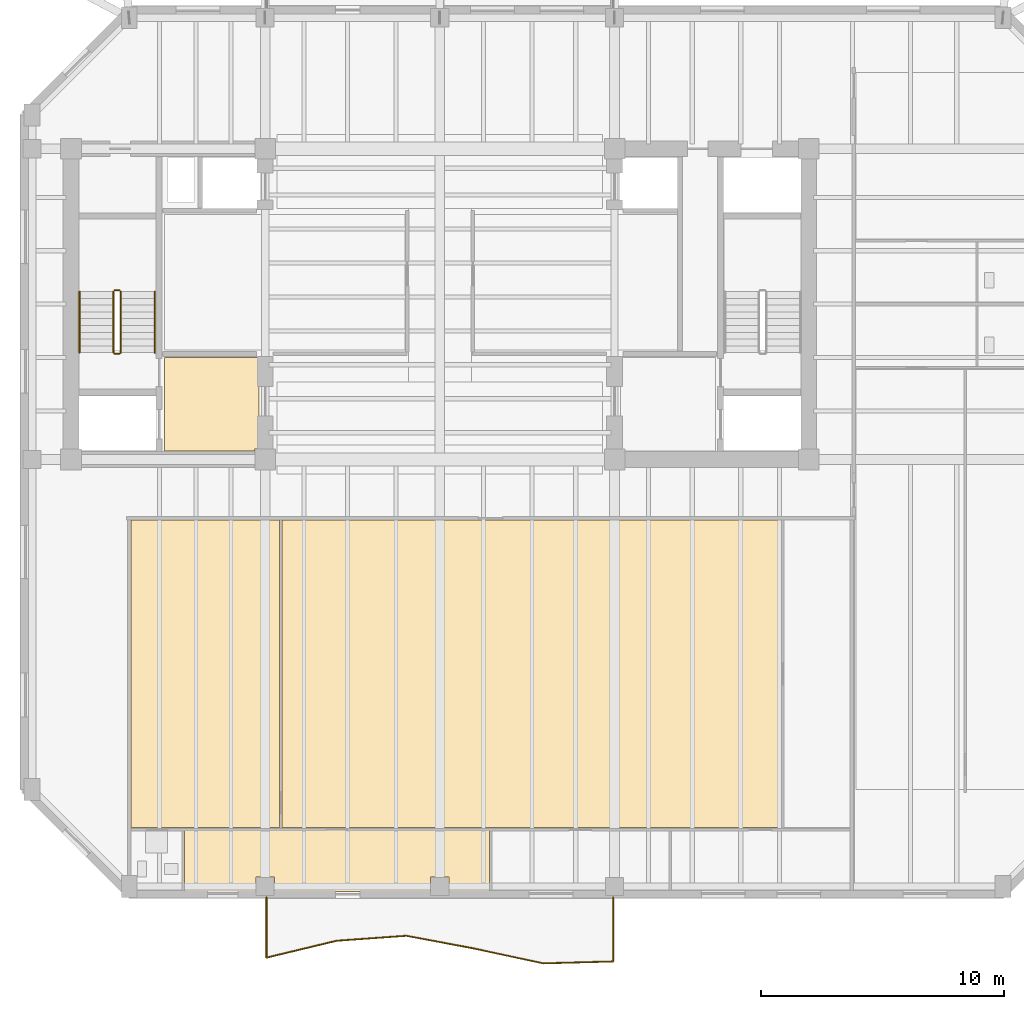
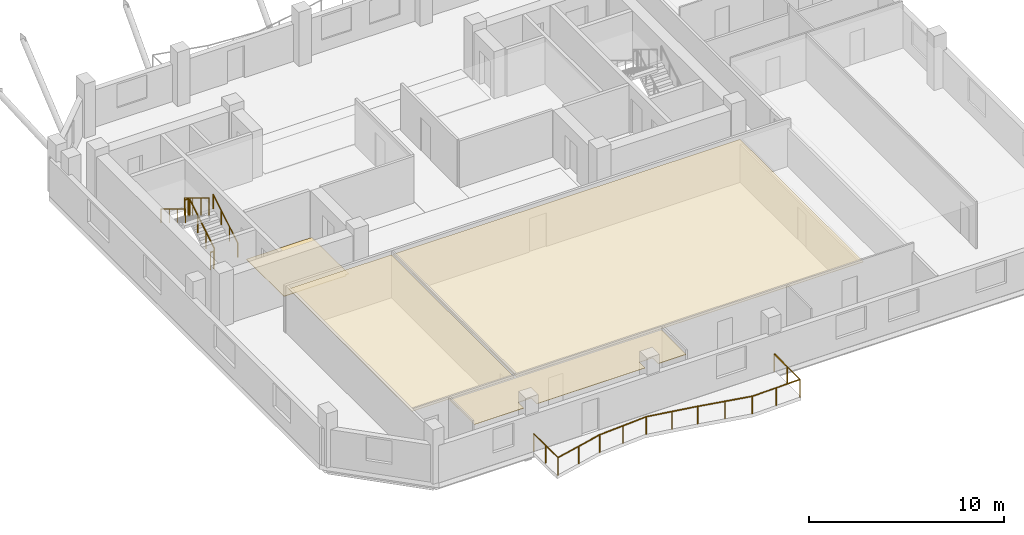
# One storey, part 8 of 11: 7 railings, 4 coverings.
"""IFC4 building model written with IfcOpenShell, lengths in metres."""

from ifc_helpers import new_model, si_unit, direction, frame, origin, origin_2d, place, context, subcontext, project, spatial, polyline, circle, outline, extrude, material, layer, layer_set, type_object, element, save


model = new_model("IFC4")

# Units and contexts
model_context = context("Model", 3, precision=1e-05, world=origin(), true_north=direction((0.0, 1.0)))
body_context = subcontext(model_context, "Body", "Model", "MODEL_VIEW")
ifc_project = project(units=[si_unit("LENGTHUNIT", "METRE"), si_unit("AREAUNIT", "SQUARE_METRE"), si_unit("VOLUMEUNIT", "CUBIC_METRE"), si_unit("PLANEANGLEUNIT", "RADIAN"), si_unit("MASSUNIT", "GRAM", prefix="KILO")], contexts=[model_context])

# Site, building, storey
site_placement = place(None, origin())
site = spatial("IfcSite", under=ifc_project, at=site_placement, CompositionType="ELEMENT")
building_placement = place(site_placement, origin())
building = spatial("IfcBuilding", under=site, at=building_placement, Name="Kranthara Brick Stack", CompositionType="ELEMENT")
storey_placement = place(building_placement, frame((0.0, 0.0, 244.89990234375)))
storey = spatial("IfcBuildingStorey", under=building, at=storey_placement, Name="L64", CompositionType="ELEMENT", Elevation=244.89990234375)

# Coverings
ifc_material_1 = material(Name="Perforated mineral-fibre acoustic ceiling tile", Category="other")
ifc_layer_1 = layer(ifc_material_1, 0.02490234375)
ifc_layer_set_1 = layer_set([ifc_layer_1], Name="Perforated mineral-fibre acoustic ceiling tile")
covering_type_1 = type_object("IfcCoveringType", Name="COV-CEIL-ACOUSTIC", PredefinedType="CEILING", material=ifc_layer_set_1)
covering_1_placement = place(storey_placement, frame((0.0, 0.0, 2.68017578125)))
element("IfcCovering", 1, at=covering_1_placement, inside=storey, type_object=covering_type_1, Name="L64 Unit L64A 3-Bed Apartment Living Dining Acoustic Ceiling", PredefinedType="CEILING", context=body_context, shape_type="SweptSolid", body=[
    extrude(outline(polyline([(21.385986328125, 5.6298828125), (21.385986328125, 18.300048828125), (15.280029296875, 18.300048828125), (15.280029296875, 5.6298828125), (21.385986328125, 5.6298828125)])), origin(), (0.0, 0.0, 1.0), 0.02490234375),
])
covering_2_placement = place(storey_placement, frame((0.0, 0.0, 2.68017578125)))
element("IfcCovering", 2, at=covering_2_placement, inside=storey, type_object=covering_type_1, Name="L64 Unit L64A Private Study Room Acoustic Ceiling", PredefinedType="CEILING", context=body_context, shape_type="SweptSolid", body=[
    extrude(outline(polyline([(42.087890625, 5.6298828125), (42.087890625, 18.300048828125), (21.486083984375, 18.300048828125), (21.486083984375, 5.6298828125), (42.087890625, 5.6298828125)])), origin(), (0.0, 0.0, 1.0), 0.02490234375),
])
covering_3_placement = place(storey_placement, frame((0.0, 0.0, 2.68017578125)))
element("IfcCovering", 3, at=covering_3_placement, inside=storey, type_object=covering_type_1, Name="L64 Unit L64A Kitchen Acoustic Ceiling", PredefinedType="CEILING", context=body_context, shape_type="SweptSolid", body=[
    extrude(outline(polyline([(17.47998046875, 5.550048828125), (30.0400390625, 5.550048828125), (30.0400390625, 3.0), (28.385009765625, 3.0), (28.385009765625, 3.5849609375), (27.614990234375, 3.5849609375), (27.614990234375, 3.0), (21.18505859375, 3.0), (21.18505859375, 3.5849609375), (20.4150390625, 3.5849609375), (20.4150390625, 3.0), (17.47998046875, 3.0), (17.47998046875, 5.550048828125)])), origin(), (0.0, 0.0, 1.0), 0.02490234375),
])
ifc_material_2 = material(Name="Honed terrazzo and porcelain floor finish", Category="stone")
ifc_layer_2 = layer(ifc_material_2, 0.030029296875)
ifc_layer_set_2 = layer_set([ifc_layer_2], Name="Honed terrazzo and porcelain floor finish")
covering_type_2 = type_object("IfcCoveringType", Name="COV-FLOR-STONE", PredefinedType="FLOORING", material=ifc_layer_set_2)
covering_4_placement = place(storey_placement, origin())
element("IfcCovering", 4, at=covering_4_placement, inside=storey, type_object=covering_type_2, Name="L64 Lift Lobby Stone Flooring", PredefinedType="FLOORING", context=body_context, shape_type="SweptSolid", body=[
    extrude(outline(polyline([(16.64990234375, 21.14990234375), (16.64990234375, 25.0), (20.550048828125, 25.0), (20.550048828125, 21.235107421875), (20.364990234375, 21.235107421875), (20.364990234375, 21.14990234375), (16.64990234375, 21.14990234375)])), origin(), (0.0, 0.0, 1.0), 0.030029296875),
])

# Railings
ifc_material_3 = material(Name="Bronze anodised aluminium and laminated glass balustrade", Category="aluminium")
railing_type_1 = type_object("IfcRailingType", Name="RL-BALC-1120", PredefinedType="BALUSTRADE", material=ifc_material_3)
railing_1_placement = place(storey_placement, frame((35.139892578125, 2.760009765625, 0.0)))
element("IfcRailing", 5, at=railing_1_placement, inside=storey, type_object=railing_type_1, Name="L64 South Rippling Balcony Balustrade", PredefinedType="BALUSTRADE", context=body_context, shape_type="SweptSolid", body=[
    extrude(circle(Radius=0.02392578125, at=origin_2d()), frame((0.0, 0.0, 1.09619140625), z_axis=(0.000184382776, -0.999999983001, 0.0), x_axis=(0.999999983001, 0.000184382776, 0.0)), (0.0, 0.0, 1.0), 2.648193359375),
    extrude(circle(Radius=0.02392578125, at=origin_2d()), frame((0.00048828125, -2.648193359375, 1.09619140625), z_axis=(-0.999627318671, -0.027298786923, 0.0), x_axis=(0.027298786923, -0.999627318671, 0.0)), (0.0, 0.0, 1.0), 2.879638671875),
    extrude(circle(Radius=0.02392578125, at=origin_2d()), frame((-2.878173828125, -2.726806640625, 1.09619140625), z_axis=(-0.977752640773, 0.209761229641, 0.0), x_axis=(-0.209761229641, -0.977752640773, 0.0)), (0.0, 0.0, 1.0), 2.944580078125),
    extrude(circle(Radius=0.02392578125, at=origin_2d()), frame((-5.75732421875, -2.109130859375, 1.09619140625), z_axis=(-0.98278949923, 0.184728991239, 0.0), x_axis=(-0.184728991239, -0.98278949923, 0.0)), (0.0, 0.0, 1.0), 2.81103515625),
    extrude(circle(Radius=0.02392578125, at=origin_2d()), frame((-8.52001953125, -1.58984375, 1.09619140625), z_axis=(-0.997425974582, -0.07170373232, 0.0), x_axis=(0.07170373232, -0.997425974582, 0.0)), (0.0, 0.0, 1.0), 2.88720703125),
    extrude(circle(Radius=0.02392578125, at=origin_2d()), frame((-11.39990234375, -1.796875, 1.09619140625), z_axis=(-0.972190987021, -0.234189420674, 0.0), x_axis=(0.234189420674, -0.972190987021, 0.0)), (0.0, 0.0, 1.0), 2.962646484375),
    extrude(circle(Radius=0.02392578125, at=origin_2d()), frame((-14.2802734375, -2.49072265625, 1.09619140625), z_axis=(0.000196039988, 0.999999980784, 0.0), x_axis=(-0.999999980784, 0.000196039988, 0.0)), (0.0, 0.0, 1.0), 2.49072265625),
    extrude(circle(Radius=0.02099609375, at=origin_2d()), origin(), (0.0, 0.0, 1.0), 1.072021484375),
    extrude(circle(Radius=0.02099609375, at=origin_2d()), frame((0.000244140625, -1.32421875, 0.0)), (0.0, 0.0, 1.0), 1.072021484375),
    extrude(circle(Radius=0.02099609375, at=origin_2d()), frame((0.00048828125, -2.648193359375, 0.0)), (0.0, 0.0, 1.0), 1.072021484375),
    extrude(circle(Radius=0.02099609375, at=origin_2d()), frame((-1.43896484375, -2.6875, 0.0)), (0.0, 0.0, 1.0), 1.072021484375),
    extrude(circle(Radius=0.02099609375, at=origin_2d()), frame((-2.878173828125, -2.726806640625, 0.0)), (0.0, 0.0, 1.0), 1.072021484375),
    extrude(circle(Radius=0.02099609375, at=origin_2d()), frame((-4.31787109375, -2.41796875, 0.0)), (0.0, 0.0, 1.0), 1.072021484375),
    extrude(circle(Radius=0.02099609375, at=origin_2d()), frame((-5.75732421875, -2.109130859375, 0.0)), (0.0, 0.0, 1.0), 1.072021484375),
    extrude(circle(Radius=0.02099609375, at=origin_2d()), frame((-7.138671875, -1.849609375, 0.0)), (0.0, 0.0, 1.0), 1.072021484375),
    extrude(circle(Radius=0.02099609375, at=origin_2d()), frame((-8.52001953125, -1.58984375, 0.0)), (0.0, 0.0, 1.0), 1.072021484375),
    extrude(circle(Radius=0.02099609375, at=origin_2d()), frame((-9.9599609375, -1.693359375, 0.0)), (0.0, 0.0, 1.0), 1.072021484375),
    extrude(circle(Radius=0.02099609375, at=origin_2d()), frame((-11.39990234375, -1.796875, 0.0)), (0.0, 0.0, 1.0), 1.072021484375),
    extrude(circle(Radius=0.02099609375, at=origin_2d()), frame((-12.840087890625, -2.143798828125, 0.0)), (0.0, 0.0, 1.0), 1.072021484375),
    extrude(circle(Radius=0.02099609375, at=origin_2d()), frame((-14.2802734375, -2.49072265625, 0.0)), (0.0, 0.0, 1.0), 1.072021484375),
    extrude(circle(Radius=0.02099609375, at=origin_2d()), frame((-14.280029296875, -1.245361328125, 0.0)), (0.0, 0.0, 1.0), 1.072021484375),
    extrude(circle(Radius=0.02099609375, at=origin_2d()), frame((-14.27978515625, 0.0, 0.0)), (0.0, 0.0, 1.0), 1.072021484375),
])
ifc_material_4 = material(Name="Painted galvanized steel stair guardrail", Category="steel")
railing_type_2 = type_object("IfcRailingType", Name="RL-STAIR-GUARD-1100", PredefinedType="GUARDRAIL", material=ifc_material_4)
railing_2_placement = place(storey_placement, frame((14.85009765625, 25.199951171875, 0.170166015625)))
element("IfcRailing", 6, at=railing_2_placement, inside=storey, type_object=railing_type_2, Name="L64 ST01 stair guard 1", PredefinedType="GUARDRAIL", context=body_context, shape_type="SweptSolid", body=[
    extrude(circle(Radius=0.02392578125, at=origin_2d()), frame((0.0, 0.0, 1.076171875), z_axis=(0.0, 0.85478489116, 0.518982456201), x_axis=(-1.0, 0.0, 0.0)), (0.0, 0.0, 1.0), 2.9482421875),
    extrude(circle(Radius=0.02099609375, at=origin_2d()), origin(), (0.0, 0.0, 1.0), 1.052001953125),
    extrude(circle(Radius=0.02099609375, at=origin_2d()), frame((0.0, 0.840087890625, 0.510009765625)), (0.0, 0.0, 1.0), 1.052001953125),
    extrude(circle(Radius=0.02099609375, at=origin_2d()), frame((0.0, 1.679931640625, 1.02001953125)), (0.0, 0.0, 1.0), 1.052001953125),
    extrude(circle(Radius=0.02099609375, at=origin_2d()), frame((0.0, 2.52001953125, 1.530029296875)), (0.0, 0.0, 1.0), 1.052001953125),
])
railing_3_placement = place(storey_placement, frame((14.800048828125, 27.77001953125, 1.7001953125)))
element("IfcRailing", 7, at=railing_3_placement, inside=storey, type_object=railing_type_2, Name="L64 ST01 stair guard 2", PredefinedType="GUARDRAIL", context=body_context, shape_type="SweptSolid", body=[
    extrude(circle(Radius=0.02392578125, at=origin_2d()), frame((0.0, 0.0, 1.076171875), z_axis=(-1.0, 0.0, 0.0), x_axis=(0.0, -1.0, 0.0)), (0.0, 0.0, 1.0), 0.199951171875),
    extrude(circle(Radius=0.02099609375, at=origin_2d()), origin(), (0.0, 0.0, 1.0), 1.052001953125),
    extrude(circle(Radius=0.02099609375, at=origin_2d()), frame((-0.199951171875, 0.0, 0.0)), (0.0, 0.0, 1.0), 1.052001953125),
])
railing_4_placement = place(storey_placement, frame((14.550048828125, 27.719970703125, 1.8701171875)))
element("IfcRailing", 8, at=railing_4_placement, inside=storey, type_object=railing_type_2, Name="L64 ST01 stair guard 3", PredefinedType="GUARDRAIL", context=body_context, shape_type="SweptSolid", body=[
    extrude(circle(Radius=0.02392578125, at=origin_2d()), frame((0.0, 0.0, 1.076171875), z_axis=(0.0, -0.85478489116, 0.518982456201), x_axis=(1.0, 0.0, 0.0)), (0.0, 0.0, 1.0), 2.9482421875),
    extrude(circle(Radius=0.02099609375, at=origin_2d()), origin(), (0.0, 0.0, 1.0), 1.052001953125),
    extrude(circle(Radius=0.02099609375, at=origin_2d()), frame((0.0, -0.840087890625, 0.510009765625)), (0.0, 0.0, 1.0), 1.052001953125),
    extrude(circle(Radius=0.02099609375, at=origin_2d()), frame((0.0, -1.679931640625, 1.02001953125)), (0.0, 0.0, 1.0), 1.052001953125),
    extrude(circle(Radius=0.02099609375, at=origin_2d()), frame((0.0, -2.52001953125, 1.530029296875)), (0.0, 0.0, 1.0), 1.052001953125),
])
railing_5_placement = place(storey_placement, frame((14.800048828125, 25.14990234375, 0.0)))
element("IfcRailing", 9, at=railing_5_placement, inside=storey, type_object=railing_type_2, Name="L64 ST01 stair guard 4", PredefinedType="GUARDRAIL", context=body_context, shape_type="SweptSolid", body=[
    extrude(circle(Radius=0.02392578125, at=origin_2d()), frame((0.0, 0.0, 1.076171875), z_axis=(-1.0, 0.0, 0.0), x_axis=(0.0, -1.0, 0.0)), (0.0, 0.0, 1.0), 0.199951171875),
    extrude(circle(Radius=0.02099609375, at=origin_2d()), origin(), (0.0, 0.0, 1.0), 1.052001953125),
    extrude(circle(Radius=0.02099609375, at=origin_2d()), frame((-0.199951171875, 0.0, 0.0)), (0.0, 0.0, 1.0), 1.052001953125),
])
ifc_material_5 = material(Name="Brushed stainless steel tubular handrail", Category="steel")
railing_type_3 = type_object("IfcRailingType", Name="RL-STAIR-HAND-900", PredefinedType="HANDRAIL", material=ifc_material_5)
railing_6_placement = place(storey_placement, frame((16.25, 25.199951171875, 0.170166015625)))
element("IfcRailing", 10, at=railing_6_placement, inside=storey, type_object=railing_type_3, Name="L64 ST01 stair handrail 1", PredefinedType="HANDRAIL", context=body_context, shape_type="SweptSolid", body=[
    extrude(circle(Radius=0.02392578125, at=origin_2d()), frame((0.0, 0.0, 0.8759765625), z_axis=(0.0, 0.85478489116, 0.518982456201), x_axis=(-1.0, 0.0, 0.0)), (0.0, 0.0, 1.0), 2.9482421875),
    extrude(circle(Radius=0.02099609375, at=origin_2d()), origin(), (0.0, 0.0, 1.0), 0.851806640625),
    extrude(circle(Radius=0.02099609375, at=origin_2d()), frame((0.0, 0.840087890625, 0.510009765625)), (0.0, 0.0, 1.0), 0.851806640625),
    extrude(circle(Radius=0.02099609375, at=origin_2d()), frame((0.0, 1.679931640625, 1.02001953125)), (0.0, 0.0, 1.0), 0.851806640625),
    extrude(circle(Radius=0.02099609375, at=origin_2d()), frame((0.0, 2.52001953125, 1.530029296875)), (0.0, 0.0, 1.0), 0.851806640625),
])
railing_7_placement = place(storey_placement, frame((13.14990234375, 27.719970703125, 1.8701171875)))
element("IfcRailing", 11, at=railing_7_placement, inside=storey, type_object=railing_type_3, Name="L64 ST01 stair handrail 2", PredefinedType="HANDRAIL", context=body_context, shape_type="SweptSolid", body=[
    extrude(circle(Radius=0.02392578125, at=origin_2d()), frame((0.0, 0.0, 0.8759765625), z_axis=(0.0, -0.85478489116, 0.518982456201), x_axis=(1.0, 0.0, 0.0)), (0.0, 0.0, 1.0), 2.9482421875),
    extrude(circle(Radius=0.02099609375, at=origin_2d()), origin(), (0.0, 0.0, 1.0), 0.851806640625),
    extrude(circle(Radius=0.02099609375, at=origin_2d()), frame((0.0, -0.840087890625, 0.510009765625)), (0.0, 0.0, 1.0), 0.851806640625),
    extrude(circle(Radius=0.02099609375, at=origin_2d()), frame((0.0, -1.679931640625, 1.02001953125)), (0.0, 0.0, 1.0), 0.851806640625),
    extrude(circle(Radius=0.02099609375, at=origin_2d()), frame((0.0, -2.52001953125, 1.530029296875)), (0.0, 0.0, 1.0), 0.851806640625),
])

save(model, "model.ifc")
